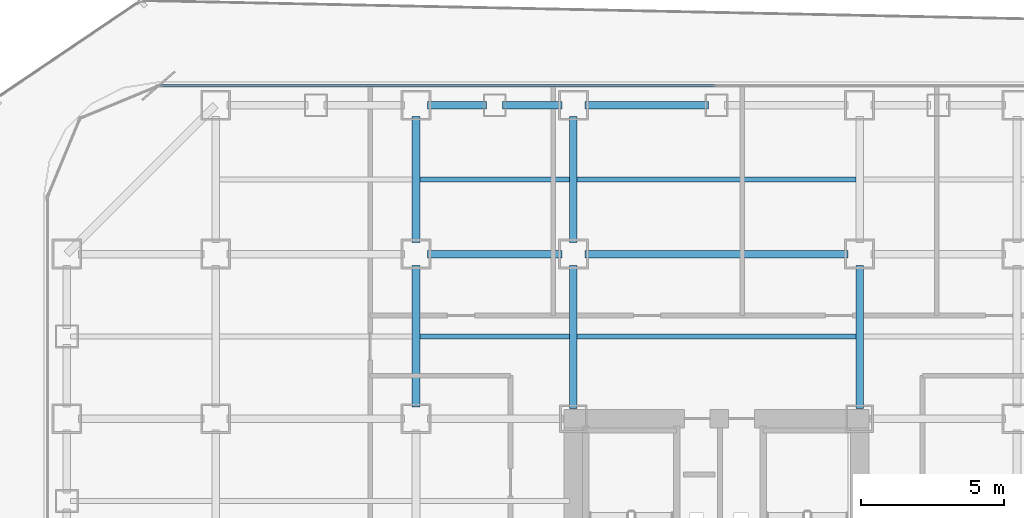
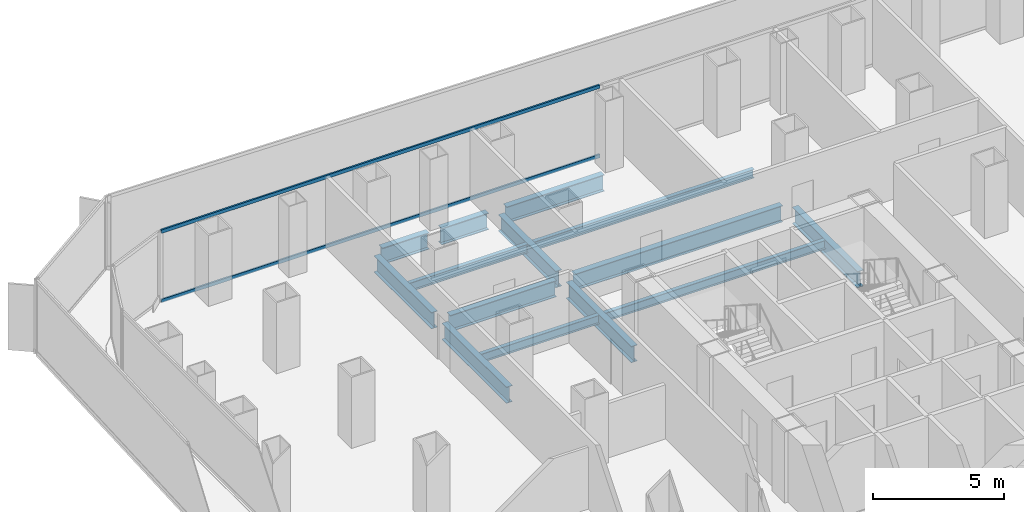
# One storey, part 12 of 21: 14 beams, 2 members, 1 element without a shape of its own.
"""IFC4 building model written with IfcOpenShell, lengths in metres."""

from ifc_helpers import new_model, si_unit, direction, frame, origin, origin_2d, place, context, subcontext, project, spatial, hollow_rectangle, i_section, extrude, source, transform, mapped, material, layer, layer_set, material_profile, profile_set, type_object, element, aggregate, save


model = new_model("IFC4")

# Units and contexts
model_context = context("Model", 3, precision=1e-05, world=origin(), true_north=direction((0.0, 1.0)))
body_context = subcontext(model_context, "Body", "Model", "MODEL_VIEW")
ifc_project = project(units=[si_unit("LENGTHUNIT", "METRE"), si_unit("AREAUNIT", "SQUARE_METRE"), si_unit("VOLUMEUNIT", "CUBIC_METRE"), si_unit("PLANEANGLEUNIT", "RADIAN"), si_unit("MASSUNIT", "GRAM", prefix="KILO")], contexts=[model_context])

# Site, building, storey
site_placement = place(None, origin())
site = spatial("IfcSite", under=ifc_project, at=site_placement, CompositionType="ELEMENT")
building_placement = place(site_placement, origin())
building = spatial("IfcBuilding", under=site, at=building_placement, Name="Kolveth Station Tower", CompositionType="ELEMENT")
storey_placement = place(building_placement, frame((0.0, 0.0, 29.699951171875)))
storey = spatial("IfcBuildingStorey", under=building, at=storey_placement, Name="L07", CompositionType="ELEMENT", Elevation=29.699951171875)

# Beams
ifc_material_1 = material(Name="Steel S355", Category="steel")
ifc_material_profile_1 = material_profile(ifc_material_1, i_section(OverallWidth=0.26904296875, OverallDepth=0.77490234375, WebThickness=0.01708984375, FlangeThickness=0.0283203125, at=origin_2d()), Name="W760x220")
ifc_profile_set_1 = profile_set([ifc_material_profile_1], Name="Steel S355")
beam_type_1 = type_object("IfcBeamType", Name="Beam_SP1", PredefinedType="SPANDREL", material=ifc_profile_set_1)
shared_shape_1 = source(origin(), body_context, "Body", "SweptSolid", [
    extrude(i_section(OverallWidth=0.26904296875, OverallDepth=0.77490234375, WebThickness=0.01708984375, FlangeThickness=0.0283203125, at=origin_2d()), origin(), (0.0, 0.0, 1.0), 2.070068359375),
])
for number, where, z_axis, x_axis, name in (
    (1, (13.39990234375, 39.699951171875, -0.66748046875), (1.0, 0.0, 0.0), (0.0, 1.0, 0.0), "L07 Perimeter Spandrel BM-L07-PN-3"),
    (2, (16.030029296875, 39.699951171875, -0.66748046875), (1.0, 0.0, 0.0), (0.0, 1.0, 0.0), "L07 Perimeter Spandrel BM-L07-PN-4"),
):
    element("IfcBeam", number, at=place(storey_placement, frame(where, z_axis=z_axis, x_axis=x_axis)), inside=storey, type_object=beam_type_1, Name=name, PredefinedType="SPANDREL", context=body_context, shape_type="MappedRepresentation", body=[
        mapped(shared_shape_1, transform((0.0, 0.0, 0.0), x_axis=(1.0, 0.0, 0.0), y_axis=(0.0, 1.0, 0.0), z_axis=(0.0, 0.0, 1.0), scale=1.0)),
    ])
shared_shape_2 = source(origin(), body_context, "Body", "SweptSolid", [
    extrude(i_section(OverallWidth=0.26904296875, OverallDepth=0.77490234375, WebThickness=0.01708984375, FlangeThickness=0.0283203125, at=origin_2d()), origin(), (0.0, 0.0, 1.0), 4.320068359375),
])
beam_1_placement = place(storey_placement, frame((18.89990234375, 39.699951171875, -0.66748046875), z_axis=(1.0, 0.0, 0.0), x_axis=(0.0, 1.0, 0.0)))
element("IfcBeam", 3, at=beam_1_placement, inside=storey, type_object=beam_type_1, Name="L07 Perimeter Spandrel BM-L07-PN-5", PredefinedType="SPANDREL", context=body_context, shape_type="MappedRepresentation", body=[
    mapped(shared_shape_2, transform((0.0, 0.0, 0.0), x_axis=(1.0, 0.0, 0.0), y_axis=(0.0, 1.0, 0.0), z_axis=(0.0, 0.0, 1.0), scale=1.0)),
])
ifc_material_profile_2 = material_profile(ifc_material_1, i_section(OverallWidth=0.26708984375, OverallDepth=0.76611328125, WebThickness=0.014892578125, FlangeThickness=0.023681640625, at=origin_2d()), Name="W760x185")
ifc_profile_set_2 = profile_set([ifc_material_profile_2], Name="Steel S355")
beam_type_2 = type_object("IfcBeamType", Name="Beam_B3", PredefinedType="BEAM", material=ifc_profile_set_2)
shared_shape_3 = source(origin(), body_context, "Body", "SweptSolid", [
    extrude(i_section(OverallWidth=0.26708984375, OverallDepth=0.76611328125, WebThickness=0.014892578125, FlangeThickness=0.023681640625, at=origin_2d()), origin(), (0.0, 0.0, 1.0), 4.400146484375),
])
for number, where, z_axis, x_axis, name in (
    (4, (13.0, 34.89990234375, -0.662841796875), (0.0, 1.0, 0.0), (-1.0, 0.0, 0.0), "L07 Primary Girder BM-L07-GX130-7"),
    (5, (18.5, 34.89990234375, -0.662841796875), (0.0, 1.0, 0.0), (-1.0, 0.0, 0.0), "L07 Primary Girder BM-L07-GX185-7"),
):
    element("IfcBeam", number, at=place(storey_placement, frame(where, z_axis=z_axis, x_axis=x_axis)), inside=storey, type_object=beam_type_2, Name=name, PredefinedType="BEAM", context=body_context, shape_type="MappedRepresentation", body=[
        mapped(shared_shape_3, transform((0.0, 0.0, 0.0), x_axis=(1.0, 0.0, 0.0), y_axis=(0.0, 1.0, 0.0), z_axis=(0.0, 0.0, 1.0), scale=1.0)),
    ])
shared_shape_4 = source(origin(), body_context, "Body", "SweptSolid", [
    extrude(i_section(OverallWidth=0.26708984375, OverallDepth=0.76611328125, WebThickness=0.014892578125, FlangeThickness=0.023681640625, at=origin_2d()), origin(), (0.0, 0.0, 1.0), 4.7001953125),
])
beam_2_placement = place(storey_placement, frame((13.39990234375, 34.5, -0.662841796875), z_axis=(1.0, 0.0, 0.0), x_axis=(0.0, 1.0, 0.0)))
element("IfcBeam", 6, at=beam_2_placement, inside=storey, type_object=beam_type_2, Name="L07 Primary Girder BM-L07-GY345-3", PredefinedType="BEAM", context=body_context, shape_type="MappedRepresentation", body=[
    mapped(shared_shape_4, transform((0.0, 0.0, 0.0), x_axis=(1.0, 0.0, 0.0), y_axis=(0.0, 1.0, 0.0), z_axis=(0.0, 0.0, 1.0), scale=1.0)),
])
shared_shape_5 = source(origin(), body_context, "Body", "SweptSolid", [
    extrude(i_section(OverallWidth=0.26708984375, OverallDepth=0.76611328125, WebThickness=0.014892578125, FlangeThickness=0.023681640625, at=origin_2d()), origin(), (0.0, 0.0, 1.0), 9.2001953125),
])
beam_3_placement = place(storey_placement, frame((18.89990234375, 34.5, -0.662841796875), z_axis=(1.0, 0.0, 0.0), x_axis=(0.0, 1.0, 0.0)))
element("IfcBeam", 7, at=beam_3_placement, inside=storey, type_object=beam_type_2, Name="L07 Primary Girder BM-L07-GY345-4", PredefinedType="BEAM", context=body_context, shape_type="MappedRepresentation", body=[
    mapped(shared_shape_5, transform((0.0, 0.0, 0.0), x_axis=(1.0, 0.0, 0.0), y_axis=(0.0, 1.0, 0.0), z_axis=(0.0, 0.0, 1.0), scale=1.0)),
])
shared_shape_6 = source(origin(), body_context, "Body", "SweptSolid", [
    extrude(i_section(OverallWidth=0.26708984375, OverallDepth=0.76611328125, WebThickness=0.014892578125, FlangeThickness=0.023681640625, at=origin_2d()), origin(), (0.0, 0.0, 1.0), 4.9501953125),
])
beam_4_placement = place(storey_placement, frame((13.0, 29.14990234375, -0.662841796875), z_axis=(0.0, 1.0, 0.0), x_axis=(-1.0, 0.0, 0.0)))
element("IfcBeam", 8, at=beam_4_placement, inside=storey, type_object=beam_type_2, Name="L07 Primary Girder BM-L07-GX130-6", PredefinedType="BEAM", context=body_context, shape_type="MappedRepresentation", body=[
    mapped(shared_shape_6, transform((0.0, 0.0, 0.0), x_axis=(1.0, 0.0, 0.0), y_axis=(0.0, 1.0, 0.0), z_axis=(0.0, 0.0, 1.0), scale=1.0)),
])
shared_shape_7 = source(origin(), body_context, "Body", "SweptSolid", [
    extrude(i_section(OverallWidth=0.26708984375, OverallDepth=0.76611328125, WebThickness=0.014892578125, FlangeThickness=0.023681640625, at=origin_2d()), origin(), (0.0, 0.0, 1.0), 4.989990234375),
])
for number, where, z_axis, x_axis, name in (
    (9, (18.5, 29.110107421875, -0.662841796875), (0.0, 1.0, 0.0), (-1.0, 0.0, 0.0), "L07 Primary Girder BM-L07-GX185-6"),
    (10, (28.5, 29.110107421875, -0.662841796875), (0.0, 1.0, 0.0), (-1.0, 0.0, 0.0), "L07 Primary Girder BM-L07-GX285-6"),
):
    element("IfcBeam", number, at=place(storey_placement, frame(where, z_axis=z_axis, x_axis=x_axis)), inside=storey, type_object=beam_type_2, Name=name, PredefinedType="BEAM", context=body_context, shape_type="MappedRepresentation", body=[
        mapped(shared_shape_7, transform((0.0, 0.0, 0.0), x_axis=(1.0, 0.0, 0.0), y_axis=(0.0, 1.0, 0.0), z_axis=(0.0, 0.0, 1.0), scale=1.0)),
    ])
ifc_material_profile_3 = material_profile(ifc_material_1, i_section(OverallWidth=0.177978515625, OverallDepth=0.406982421875, WebThickness=0.0078125, FlangeThickness=0.0126953125, at=origin_2d()), Name="W410x60")
ifc_profile_set_3 = profile_set([ifc_material_profile_3], Name="Steel S355")
beam_type_3 = type_object("IfcBeamType", Name="Beam_J1", PredefinedType="JOIST", material=ifc_profile_set_3)
shared_shape_8 = source(origin(), body_context, "Body", "SweptSolid", [
    extrude(i_section(OverallWidth=0.177978515625, OverallDepth=0.406982421875, WebThickness=0.0078125, FlangeThickness=0.0126953125, at=origin_2d()), origin(), (0.0, 0.0, 1.0), 5.23681640625),
])
for number, where, z_axis, x_axis, name in (
    (11, (13.131591796875, 31.625, -0.4833984375), (1.0, 0.0, 0.0), (0.0, 1.0, 0.0), "L07 Secondary Joist JST-L07-3-6"),
    (12, (13.131591796875, 37.10009765625, -0.4833984375), (1.0, 0.0, 0.0), (0.0, 1.0, 0.0), "L07 Secondary Joist JST-L07-3-7"),
):
    element("IfcBeam", number, at=place(storey_placement, frame(where, z_axis=z_axis, x_axis=x_axis)), inside=storey, type_object=beam_type_3, Name=name, PredefinedType="JOIST", context=body_context, shape_type="MappedRepresentation", body=[
        mapped(shared_shape_8, transform((0.0, 0.0, 0.0), x_axis=(1.0, 0.0, 0.0), y_axis=(0.0, 1.0, 0.0), z_axis=(0.0, 0.0, 1.0), scale=1.0)),
    ])
shared_shape_9 = source(origin(), body_context, "Body", "SweptSolid", [
    extrude(i_section(OverallWidth=0.177978515625, OverallDepth=0.406982421875, WebThickness=0.0078125, FlangeThickness=0.0126953125, at=origin_2d()), origin(), (0.0, 0.0, 1.0), 9.73681640625),
])
for number, where, z_axis, x_axis, name in (
    (13, (18.631591796875, 31.625, -0.4833984375), (1.0, 0.0, 0.0), (0.0, 1.0, 0.0), "L07 Secondary Joist JST-L07-4-6"),
    (14, (18.631591796875, 37.10009765625, -0.4833984375), (1.0, 0.0, 0.0), (0.0, 1.0, 0.0), "L07 Secondary Joist JST-L07-4-7"),
):
    element("IfcBeam", number, at=place(storey_placement, frame(where, z_axis=z_axis, x_axis=x_axis)), inside=storey, type_object=beam_type_3, Name=name, PredefinedType="JOIST", context=body_context, shape_type="MappedRepresentation", body=[
        mapped(shared_shape_9, transform((0.0, 0.0, 0.0), x_axis=(1.0, 0.0, 0.0), y_axis=(0.0, 1.0, 0.0), z_axis=(0.0, 0.0, 1.0), scale=1.0)),
    ])

# Curtain wall, members
ifc_material_2 = material(Name="Aluminium 6063-T6 and low-E dark glass", Category="aluminium")
ifc_layer = layer(ifc_material_2, 0.179931640625)
ifc_layer_set = layer_set([ifc_layer], Name="Aluminium 6063-T6 and low-E dark glass")
curtain_wall_type = type_object("IfcCurtainWallType", Name="CurtainWall_CW-Z1", PredefinedType="NOTDEFINED", material=ifc_layer_set)
curtain_wall_placement = place(storey_placement, origin())
curtain_wall = element("IfcCurtainWall", 15, at=curtain_wall_placement, inside=storey, type_object=curtain_wall_type, Name="L07 Inner Thermal Curtain Wall 6", PredefinedType="NOTDEFINED")
ifc_material_3 = material(Name="Black anodized aluminium 6063-T6", Category="aluminium")
ifc_material_profile_4 = material_profile(ifc_material_3, hollow_rectangle(XDim=0.074951171875, YDim=0.159912109375, WallThickness=0.0048828125, at=origin_2d()), Name="ALU-75x160x5")
ifc_profile_set_4 = profile_set([ifc_material_profile_4], Name="Black anodized aluminium 6063-T6")
member_type = type_object("IfcMemberType", Name="Transom_TR1", PredefinedType="USERDEFINED", material=ifc_profile_set_4)
shared_shape_10 = source(origin(), body_context, "Body", "SweptSolid", [
    extrude(hollow_rectangle(XDim=0.074951171875, YDim=0.159912109375, WallThickness=0.0048828125, at=origin_2d()), origin(), (0.0, 0.0, 1.0), 19.387451171875),
])
member_1_placement = place(storey_placement, frame((23.46240234375, 40.3798828125, 0.03759765625), z_axis=(-1.0, 0.0, 0.0), x_axis=(0.0, -1.0, 0.0)))
member_1 = element("IfcMember", 16, at=member_1_placement, type_object=member_type, Name="CW-Z1 transom 2.1", ObjectType="TRANSOM", PredefinedType="USERDEFINED", context=body_context, shape_type="MappedRepresentation", body=[
    mapped(shared_shape_10, transform((0.0, 0.0, 0.0), x_axis=(1.0, 0.0, 0.0), y_axis=(0.0, 1.0, 0.0), z_axis=(0.0, 0.0, 1.0), scale=1.0)),
])
member_2_placement = place(storey_placement, frame((23.46240234375, 40.3798828125, 3.282470703125), z_axis=(-1.0, 0.0, 0.0), x_axis=(0.0, -1.0, 0.0)))
member_2 = element("IfcMember", 17, at=member_2_placement, type_object=member_type, Name="CW-Z1 transom 2.2", ObjectType="TRANSOM", PredefinedType="USERDEFINED", context=body_context, shape_type="MappedRepresentation", body=[
    mapped(shared_shape_10, transform((0.0, 0.0, 0.0), x_axis=(1.0, 0.0, 0.0), y_axis=(0.0, 1.0, 0.0), z_axis=(0.0, 0.0, 1.0), scale=1.0)),
])
aggregate(curtain_wall, [member_1, member_2])

save(model, "model.ifc")
